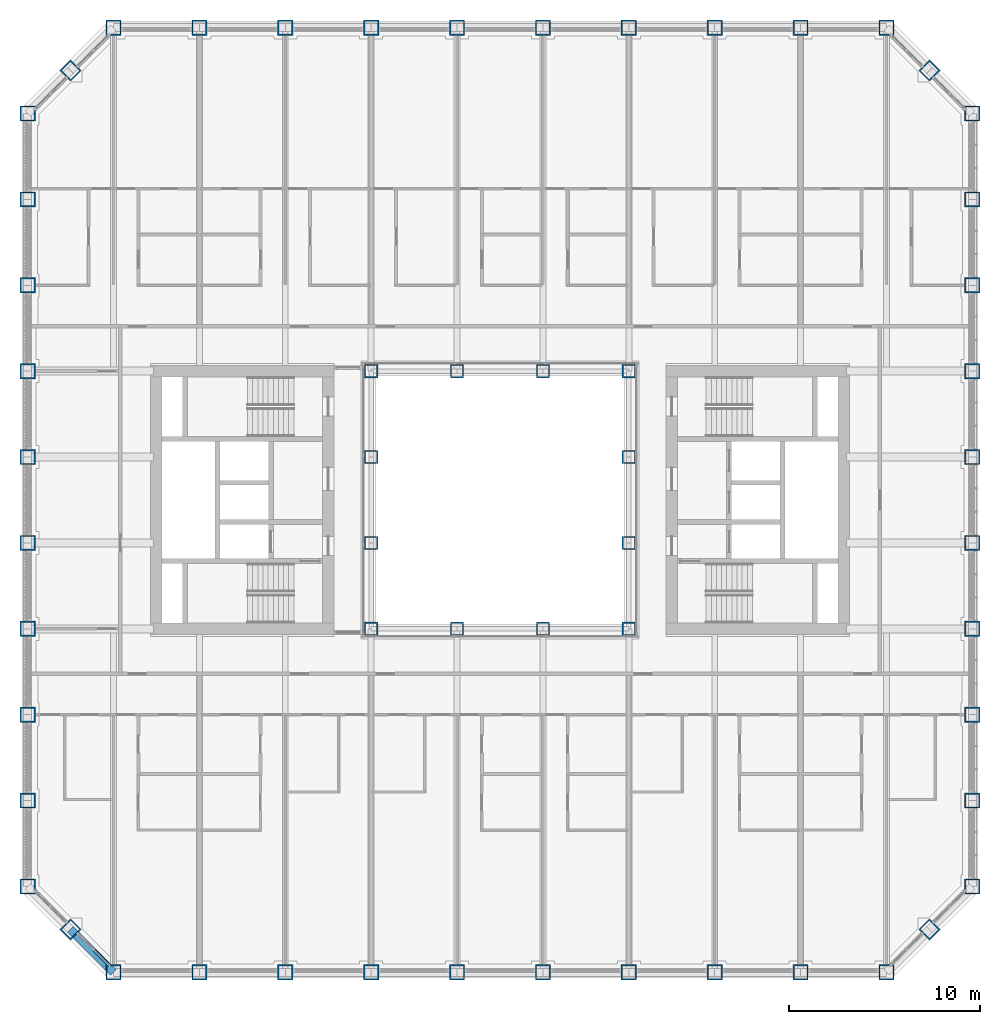
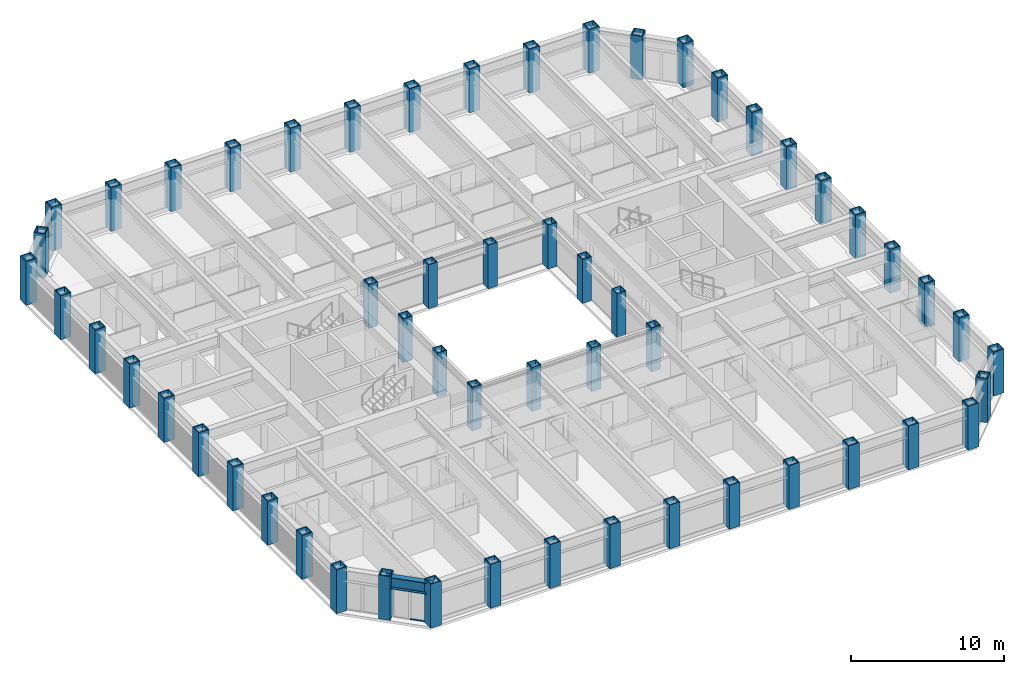
# One storey, part 1 of 21: 56 columns, 2 members, 1 beam, 1 element without a shape of its own.
"""IFC4 building model written with IfcOpenShell, lengths in metres."""

from ifc_helpers import new_model, si_unit, direction, frame, origin, origin_2d, place, context, subcontext, project, spatial, rectangle, hollow_rectangle, i_section, extrude, material, material_profile, profile_set, type_object, element, aggregate, save


model = new_model("IFC4")

# Units and contexts
model_context = context("Model", 3, precision=1e-05, world=origin(), true_north=direction((0.0, 1.0)))
body_context = subcontext(model_context, "Body", "Model", "MODEL_VIEW")
ifc_project = project(units=[si_unit("LENGTHUNIT", "METRE"), si_unit("AREAUNIT", "SQUARE_METRE"), si_unit("VOLUMEUNIT", "CUBIC_METRE"), si_unit("PLANEANGLEUNIT", "RADIAN"), si_unit("MASSUNIT", "GRAM", prefix="KILO")], contexts=[model_context])

# Site, building, storey
site_placement = place(None, origin())
site = spatial("IfcSite", under=ifc_project, at=site_placement, CompositionType="ELEMENT")
building_placement = place(site_placement, origin())
building = spatial("IfcBuilding", under=site, at=building_placement, Name="Msasa Ring Tower", CompositionType="ELEMENT")
storey_placement = place(building_placement, frame((0.0, 0.0, 51.0)))
storey = spatial("IfcBuildingStorey", under=building, at=storey_placement, Name="L12", CompositionType="ELEMENT", Elevation=51.0)

# Columns
ifc_material_1 = material(Name="Steel S355", Category="steel")
ifc_material_profile_1 = material_profile(ifc_material_1, hollow_rectangle(XDim=0.699951171875, YDim=0.699951171875, WallThickness=0.06005859375, at=origin_2d()), Name="BOX 700x700x60")
ifc_profile_set_1 = profile_set([ifc_material_profile_1], Name="Steel S355")
column_type_1 = type_object("IfcColumnType", Name="IC2 BOX 700x700x60", PredefinedType="COLUMN", material=ifc_profile_set_1)
for number, where, z_axis, x_axis, name in (
    (1, (-6.75, -6.75, 0.0), (0.0, 0.0, 1.0), (1.0, 0.0, 0.0), "Inner ring column IR-6.75-6.75 L12"),
    (2, (-6.75, -2.25, 0.0), (0.0, 0.0, 1.0), (1.0, 0.0, 0.0), "Inner ring column IR-6.75-2.25 L12"),
    (3, (-6.75, 2.25, 0.0), (0.0, 0.0, 1.0), (1.0, 0.0, 0.0), "Inner ring column IR-6.75+2.25 L12"),
    (4, (-6.75, 6.75, 0.0), (0.0, 0.0, 1.0), (1.0, 0.0, 0.0), "Inner ring column IR-6.75+6.75 L12"),
    (5, (-2.25, -6.75, 0.0), (0.0, 0.0, 1.0), (1.0, 0.0, 0.0), "Inner ring column IR-2.25-6.75 L12"),
    (6, (-2.25, 6.75, 0.0), (0.0, 0.0, 1.0), (1.0, 0.0, 0.0), "Inner ring column IR-2.25+6.75 L12"),
    (7, (2.25, -6.75, 0.0), (0.0, 0.0, 1.0), (1.0, 0.0, 0.0), "Inner ring column IR+2.25-6.75 L12"),
    (8, (2.25, 6.75, 0.0), (0.0, 0.0, 1.0), (1.0, 0.0, 0.0), "Inner ring column IR+2.25+6.75 L12"),
    (9, (6.75, -6.75, 0.0), (0.0, 0.0, 1.0), (1.0, 0.0, 0.0), "Inner ring column IR+6.75-6.75 L12"),
    (10, (6.75, -2.25, 0.0), (0.0, 0.0, 1.0), (1.0, 0.0, 0.0), "Inner ring column IR+6.75-2.25 L12"),
    (11, (6.75, 2.25, 0.0), (0.0, 0.0, 1.0), (1.0, 0.0, 0.0), "Inner ring column IR+6.75+2.25 L12"),
    (12, (6.75, 6.75, 0.0), (0.0, 0.0, 1.0), (1.0, 0.0, 0.0), "Inner ring column IR+6.75+6.75 L12"),
):
    element("IfcColumn", number, at=place(storey_placement, frame(where, z_axis=z_axis, x_axis=x_axis)), inside=storey, type_object=column_type_1, Name=name, PredefinedType="COLUMN", context=body_context, shape_type="SweptSolid", body=[
        extrude(hollow_rectangle(XDim=0.699951171875, YDim=0.699951171875, WallThickness=0.06005859375, at=origin_2d()), origin(), (0.0, 0.0, 1.0), 3.5),
    ])
ifc_material_2 = material(Name="Steel S355", Category="steel")
ifc_material_profile_2 = material_profile(ifc_material_2, hollow_rectangle(XDim=0.800048828125, YDim=0.800048828125, WallThickness=0.070068359375, at=origin_2d()), Name="BOX 800x800x70")
ifc_profile_set_2 = profile_set([ifc_material_profile_2], Name="Steel S355")
column_type_2 = type_object("IfcColumnType", Name="TC2 BOX 800x800x70", PredefinedType="COLUMN", material=ifc_profile_set_2)
for number, where, z_axis, x_axis, name in (
    (13, (-20.25, -24.75, 0.0), (0.0, 0.0, 1.0), (0.0, 1.0, 0.0), "Tube column S-20.25 L12"),
    (14, (-20.25, 24.75, 0.0), (0.0, 0.0, 1.0), (0.0, 1.0, 0.0), "Tube column N-20.25 L12"),
    (15, (24.75, -20.25, 0.0), (0.0, 0.0, 1.0), (1.0, 0.0, 0.0), "Tube column E-20.25 L12"),
    (16, (-24.75, -20.25, 0.0), (0.0, 0.0, 1.0), (1.0, 0.0, 0.0), "Tube column W-20.25 L12"),
    (17, (-15.75, -24.75, 0.0), (0.0, 0.0, 1.0), (0.0, 1.0, 0.0), "Tube column S-15.75 L12"),
    (18, (-15.75, 24.75, 0.0), (0.0, 0.0, 1.0), (0.0, 1.0, 0.0), "Tube column N-15.75 L12"),
    (19, (24.75, -15.75, 0.0), (0.0, 0.0, 1.0), (1.0, 0.0, 0.0), "Tube column E-15.75 L12"),
    (20, (-24.75, -15.75, 0.0), (0.0, 0.0, 1.0), (1.0, 0.0, 0.0), "Tube column W-15.75 L12"),
    (21, (-11.25, -24.75, 0.0), (0.0, 0.0, 1.0), (0.0, 1.0, 0.0), "Tube column S-11.25 L12"),
    (22, (-11.25, 24.75, 0.0), (0.0, 0.0, 1.0), (0.0, 1.0, 0.0), "Tube column N-11.25 L12"),
    (23, (24.75, -11.25, 0.0), (0.0, 0.0, 1.0), (1.0, 0.0, 0.0), "Tube column E-11.25 L12"),
    (24, (-24.75, -11.25, 0.0), (0.0, 0.0, 1.0), (1.0, 0.0, 0.0), "Tube column W-11.25 L12"),
    (25, (-6.75, -24.75, 0.0), (0.0, 0.0, 1.0), (0.0, 1.0, 0.0), "Tube column S-6.75 L12"),
    (26, (-6.75, 24.75, 0.0), (0.0, 0.0, 1.0), (0.0, 1.0, 0.0), "Tube column N-6.75 L12"),
    (27, (24.75, -6.75, 0.0), (0.0, 0.0, 1.0), (1.0, 0.0, 0.0), "Tube column E-6.75 L12"),
    (28, (-24.75, -6.75, 0.0), (0.0, 0.0, 1.0), (1.0, 0.0, 0.0), "Tube column W-6.75 L12"),
    (29, (-2.25, -24.75, 0.0), (0.0, 0.0, 1.0), (0.0, 1.0, 0.0), "Tube column S-2.25 L12"),
    (30, (-2.25, 24.75, 0.0), (0.0, 0.0, 1.0), (0.0, 1.0, 0.0), "Tube column N-2.25 L12"),
    (31, (24.75, -2.25, 0.0), (0.0, 0.0, 1.0), (1.0, 0.0, 0.0), "Tube column E-2.25 L12"),
    (32, (-24.75, -2.25, 0.0), (0.0, 0.0, 1.0), (1.0, 0.0, 0.0), "Tube column W-2.25 L12"),
    (33, (2.25, -24.75, 0.0), (0.0, 0.0, 1.0), (0.0, 1.0, 0.0), "Tube column S+2.25 L12"),
    (34, (2.25, 24.75, 0.0), (0.0, 0.0, 1.0), (0.0, 1.0, 0.0), "Tube column N+2.25 L12"),
    (35, (24.75, 2.25, 0.0), (0.0, 0.0, 1.0), (1.0, 0.0, 0.0), "Tube column E+2.25 L12"),
    (36, (-24.75, 2.25, 0.0), (0.0, 0.0, 1.0), (1.0, 0.0, 0.0), "Tube column W+2.25 L12"),
    (37, (6.75, -24.75, 0.0), (0.0, 0.0, 1.0), (0.0, 1.0, 0.0), "Tube column S+6.75 L12"),
    (38, (6.75, 24.75, 0.0), (0.0, 0.0, 1.0), (0.0, 1.0, 0.0), "Tube column N+6.75 L12"),
    (39, (24.75, 6.75, 0.0), (0.0, 0.0, 1.0), (1.0, 0.0, 0.0), "Tube column E+6.75 L12"),
    (40, (-24.75, 6.75, 0.0), (0.0, 0.0, 1.0), (1.0, 0.0, 0.0), "Tube column W+6.75 L12"),
    (41, (11.25, -24.75, 0.0), (0.0, 0.0, 1.0), (0.0, 1.0, 0.0), "Tube column S+11.25 L12"),
    (42, (11.25, 24.75, 0.0), (0.0, 0.0, 1.0), (0.0, 1.0, 0.0), "Tube column N+11.25 L12"),
    (43, (24.75, 11.25, 0.0), (0.0, 0.0, 1.0), (1.0, 0.0, 0.0), "Tube column E+11.25 L12"),
    (44, (-24.75, 11.25, 0.0), (0.0, 0.0, 1.0), (1.0, 0.0, 0.0), "Tube column W+11.25 L12"),
    (45, (15.75, -24.75, 0.0), (0.0, 0.0, 1.0), (0.0, 1.0, 0.0), "Tube column S+15.75 L12"),
    (46, (15.75, 24.75, 0.0), (0.0, 0.0, 1.0), (0.0, 1.0, 0.0), "Tube column N+15.75 L12"),
    (47, (24.75, 15.75, 0.0), (0.0, 0.0, 1.0), (1.0, 0.0, 0.0), "Tube column E+15.75 L12"),
    (48, (-24.75, 15.75, 0.0), (0.0, 0.0, 1.0), (1.0, 0.0, 0.0), "Tube column W+15.75 L12"),
    (49, (20.25, -24.75, 0.0), (0.0, 0.0, 1.0), (0.0, 1.0, 0.0), "Tube column S+20.25 L12"),
    (50, (20.25, 24.75, 0.0), (0.0, 0.0, 1.0), (0.0, 1.0, 0.0), "Tube column N+20.25 L12"),
    (51, (24.75, 20.25, 0.0), (0.0, 0.0, 1.0), (1.0, 0.0, 0.0), "Tube column E+20.25 L12"),
    (52, (-24.75, 20.25, 0.0), (0.0, 0.0, 1.0), (1.0, 0.0, 0.0), "Tube column W+20.25 L12"),
    (53, (22.5, -22.5, 0.0), (0.0, 0.0, 1.0), (0.707106781187, -0.707106781187, 0.0), "Tube column SE L12"),
    (54, (22.5, 22.5, 0.0), (0.0, 0.0, 1.0), (0.707106781187, 0.707106781187, 0.0), "Tube column NE L12"),
    (55, (-22.5, 22.5, 0.0), (0.0, 0.0, 1.0), (0.707106781187, -0.707106781187, 0.0), "Tube column NW L12"),
    (56, (-22.5, -22.5, 0.0), (0.0, 0.0, 1.0), (0.707106781187, 0.707106781187, 0.0), "Tube column SW L12"),
):
    element("IfcColumn", number, at=place(storey_placement, frame(where, z_axis=z_axis, x_axis=x_axis)), inside=storey, type_object=column_type_2, Name=name, PredefinedType="COLUMN", context=body_context, shape_type="SweptSolid", body=[
        extrude(hollow_rectangle(XDim=0.800048828125, YDim=0.800048828125, WallThickness=0.070068359375, at=origin_2d()), origin(), (0.0, 0.0, 1.0), 3.5),
    ])

# Curtain wall, members
ifc_material_3 = material(Name="Aluminium curtain wall with clear glass", Category="aluminium")
curtain_wall_type = type_object("IfcCurtainWallType", Name="CW-C CHAMFER CORNER CURTAIN WALL", PredefinedType="NOTDEFINED", material=ifc_material_3)
curtain_wall_placement = place(storey_placement, origin())
curtain_wall = element("IfcCurtainWall", 57, at=curtain_wall_placement, inside=storey, type_object=curtain_wall_type, Name="Chamfer corner curtain wall SW L12", PredefinedType="NOTDEFINED")
ifc_material_4 = material(Name="Aluminium transom", Category="aluminium")
ifc_material_profile_3 = material_profile(ifc_material_4, rectangle(XDim=0.139892578125, YDim=0.06494140625, at=origin_2d()), Name="AL 65x140")
ifc_profile_set_3 = profile_set([ifc_material_profile_3], Name="Aluminium transom")
member_type = type_object("IfcMemberType", Name="CW-C TRANSOM 65x140", PredefinedType="USERDEFINED", material=ifc_profile_set_3)
member_1_placement = place(storey_placement, frame((-21.28125, -23.577392578125, 0.032470703125), z_axis=(0.707106781187, -0.707106781187, 0.0), x_axis=(0.707106781187, 0.707106781187, 0.0)))
member_1 = element("IfcMember", 58, at=member_1_placement, type_object=member_type, Name="CW-C transom 2.1", ObjectType="TRANSOM", PredefinedType="USERDEFINED", context=body_context, shape_type="SweptSolid", body=[
    extrude(rectangle(XDim=0.139892578125, YDim=0.06494140625, at=origin_2d()), origin(), (0.0, 0.0, 1.0), 1.08837890625),
])
member_2_placement = place(storey_placement, frame((-21.28125, -23.577392578125, 2.346435546875), z_axis=(0.707106781187, -0.707106781187, 0.0), x_axis=(0.707106781187, 0.707106781187, 0.0)))
member_2 = element("IfcMember", 59, at=member_2_placement, type_object=member_type, Name="CW-C transom 2.2", ObjectType="TRANSOM", PredefinedType="USERDEFINED", context=body_context, shape_type="SweptSolid", body=[
    extrude(rectangle(XDim=0.139892578125, YDim=0.06494140625, at=origin_2d()), origin(), (0.0, 0.0, 1.0), 1.08837890625),
])
aggregate(curtain_wall, [member_1, member_2])

# Beam
ifc_material_5 = material(Name="Steel S355", Category="steel")
ifc_material_profile_4 = material_profile(ifc_material_5, i_section(OverallWidth=0.42041015625, OverallDepth=0.9208984375, WebThickness=0.021484375, FlangeThickness=0.03662109375, FilletRadius=0.024169921875, at=origin_2d()), Name="UB 914x419x388")
ifc_profile_set_4 = profile_set([ifc_material_profile_4], Name="Steel S355")
beam_type = type_object("IfcBeamType", Name="SB1 UB 914x419x388", PredefinedType="SPANDREL", material=ifc_profile_set_4)
beam_placement = place(storey_placement, frame((-22.5, -22.5, 2.839599609375), z_axis=(0.707106781187, -0.707106781187, 0.0), x_axis=(0.707106781187, 0.707106781187, 0.0)))
element("IfcBeam", 60, at=beam_placement, inside=storey, type_object=beam_type, Name="Spandrel SW to S-20.25 under L13", PredefinedType="SPANDREL", context=body_context, shape_type="SweptSolid", body=[
    extrude(i_section(OverallWidth=0.42041015625, OverallDepth=0.9208984375, WebThickness=0.021484375, FlangeThickness=0.03662109375, FilletRadius=0.024169921875, at=origin_2d()), origin(), (0.0, 0.0, 1.0), 3.181884765625),
])

save(model, "model.ifc")
